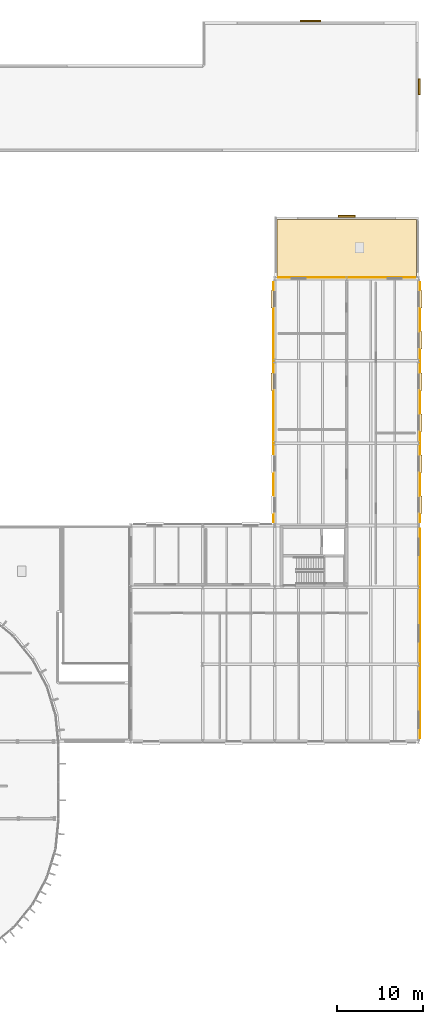
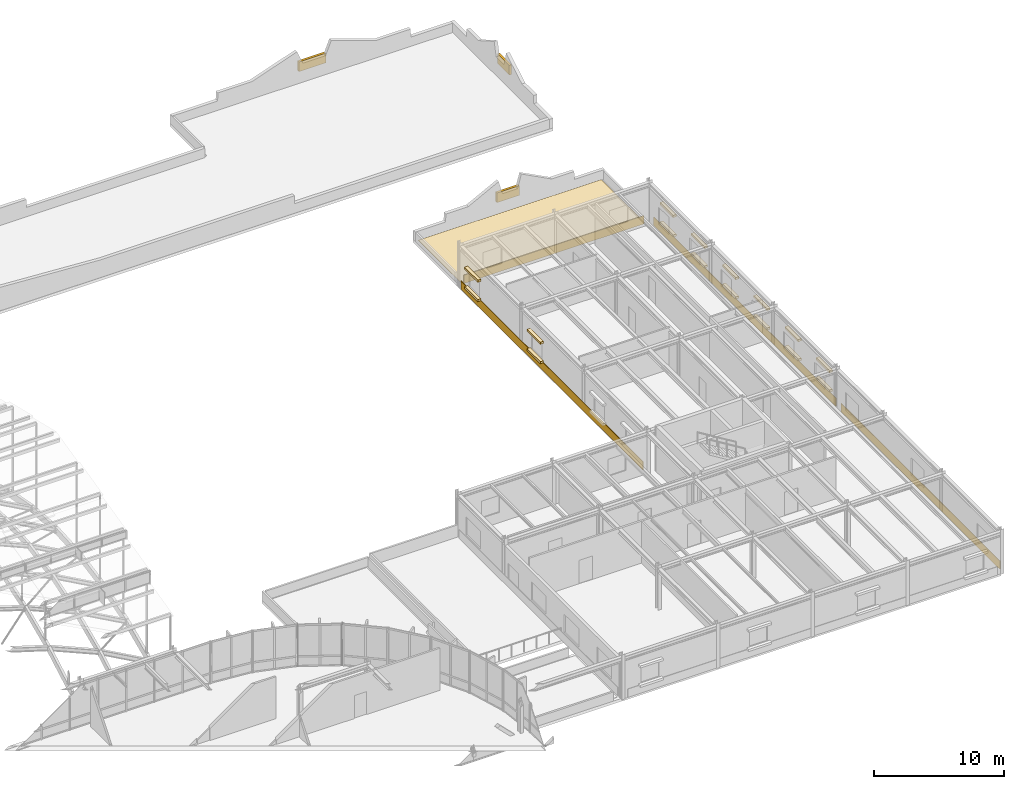
# One storey, part 69 of 69: 24 coverings.
"""IFC4 building model written with IfcOpenShell, lengths in metres."""

from ifc_helpers import new_model, si_unit, direction, frame, origin, origin_2d, place, context, subcontext, project, spatial, polyline, rectangle, outline, extrude, material, layer, layer_set, type_object, element, save


model = new_model("IFC4")

# Units and contexts
model_context = context("Model", 3, precision=1e-05, world=origin(), true_north=direction((0.0, 1.0)))
body_context = subcontext(model_context, "Body", "Model", "MODEL_VIEW")
ifc_project = project(units=[si_unit("LENGTHUNIT", "METRE"), si_unit("AREAUNIT", "SQUARE_METRE"), si_unit("VOLUMEUNIT", "CUBIC_METRE"), si_unit("PLANEANGLEUNIT", "RADIAN"), si_unit("MASSUNIT", "GRAM", prefix="KILO")], contexts=[model_context])

# Site, building, storey
site_placement = place(None, origin())
site = spatial("IfcSite", under=ifc_project, at=site_placement, CompositionType="ELEMENT")
building_placement = place(site_placement, origin())
building = spatial("IfcBuilding", under=site, at=building_placement, Name="Montealbar Specialist Clinic", CompositionType="ELEMENT")
storey_placement = place(building_placement, frame((0.0, 0.0, 9.60009765625)))
storey = spatial("IfcBuildingStorey", under=building, at=storey_placement, Name="L02", CompositionType="ELEMENT", Elevation=9.60009765625)

# Coverings
ifc_material_1 = material(Name="Terracotta architectural cladding", Category="masonry")
ifc_layer_1 = layer(ifc_material_1, 0.044921875, Name="Terracotta architectural cladding", Category="masonry")
ifc_layer_set_1 = layer_set([ifc_layer_1], Name="Terracotta architectural cladding")
covering_type_1 = type_object("IfcCoveringType", Name="COV-CLAD-TERRA", PredefinedType="CLADDING", material=ifc_layer_set_1)
covering_1_placement = place(storey_placement, frame((145.049072265625, 66.60009765625, 0.02978515625), z_axis=(0.0, 0.0, 1.0), x_axis=(0.0, 1.0, 0.0)))
element("IfcCovering", 1, at=covering_1_placement, inside=storey, type_object=covering_type_1, Name="Facade Plinth Cladding Band L02-034", PredefinedType="CLADDING", context=body_context, shape_type="SweptSolid", body=[
    extrude(rectangle(XDim=28.0, YDim=0.044921875, at=origin_2d()), origin(), (0.0, 0.0, 1.0), 0.780029296875),
])
covering_2_placement = place(storey_placement, frame((153.60009765625, 81.14990234375, 0.02978515625), z_axis=(0.0, 0.0, 1.0), x_axis=(1.0, 0.0, 0.0)))
element("IfcCovering", 2, at=covering_2_placement, inside=storey, type_object=covering_type_1, Name="Facade Plinth Cladding Band L02-035", PredefinedType="CLADDING", context=body_context, shape_type="SweptSolid", body=[
    extrude(rectangle(XDim=16.0, YDim=0.044921875, at=origin_2d()), origin(), (0.0, 0.0, 1.0), 0.780029296875),
])
covering_3_placement = place(storey_placement, frame((162.14990234375, 66.60009765625, 0.02978515625), z_axis=(0.0, 0.0, 1.0), x_axis=(0.0, -1.0, 0.0)))
element("IfcCovering", 3, at=covering_3_placement, inside=storey, type_object=covering_type_1, Name="Facade Plinth Cladding Band L02-036", PredefinedType="CLADDING", context=body_context, shape_type="SweptSolid", body=[
    extrude(rectangle(XDim=28.0, YDim=0.044921875, at=origin_2d()), origin(), (0.0, 0.0, 1.0), 0.780029296875),
])
covering_4_placement = place(storey_placement, frame((162.14990234375, 39.60009765625, 0.02978515625), z_axis=(0.0, 0.0, 1.0), x_axis=(0.0, -1.0, 0.0)))
element("IfcCovering", 4, at=covering_4_placement, inside=storey, type_object=covering_type_1, Name="Facade Plinth Cladding Band L02-037", PredefinedType="CLADDING", context=body_context, shape_type="SweptSolid", body=[
    extrude(rectangle(XDim=24.39990234375, YDim=0.044921875, at=origin_2d()), origin(), (0.0, 0.0, 1.0), 0.780029296875),
])
ifc_material_2 = material(Name="Guadarrama granite ashlar", Category="masonry")
ifc_layer_2 = layer(ifc_material_2, 0.280029296875, Name="Guadarrama granite ashlar", Category="masonry")
ifc_layer_set_2 = layer_set([ifc_layer_2], Name="Guadarrama granite ashlar")
covering_type_2 = type_object("IfcCoveringType", Name="COV-HOOD-OCULUS", PredefinedType="CLADDING", material=ifc_layer_set_2)
for number, where, z_axis, x_axis, name in (
    (5, (144.93505859375, 69.0, 2.57470703125), (0.0, 0.0, 1.0), (0.0, 1.0, 0.0), "Postmodern Oculus Stone Frame L02-051-TOP"),
    (6, (144.93505859375, 69.0, 0.7548828125), (0.0, 0.0, 1.0), (0.0, 1.0, 0.0), "Postmodern Oculus Stone Frame L02-051-BOT"),
    (7, (144.93505859375, 78.60009765625, 2.57470703125), (0.0, 0.0, 1.0), (0.0, 1.0, 0.0), "Postmodern Oculus Stone Frame L02-052-TOP"),
    (8, (144.93505859375, 78.60009765625, 0.7548828125), (0.0, 0.0, 1.0), (0.0, 1.0, 0.0), "Postmodern Oculus Stone Frame L02-052-BOT"),
    (9, (162.264892578125, 78.60009765625, 2.57470703125), (0.0, 0.0, 1.0), (0.0, -1.0, 0.0), "Postmodern Oculus Stone Frame L02-053-TOP"),
    (10, (162.264892578125, 78.60009765625, 0.7548828125), (0.0, 0.0, 1.0), (0.0, -1.0, 0.0), "Postmodern Oculus Stone Frame L02-053-BOT"),
    (11, (162.264892578125, 73.800048828125, 2.57470703125), (0.0, 0.0, 1.0), (0.0, -1.0, 0.0), "Postmodern Oculus Stone Frame L02-054-TOP"),
    (12, (162.264892578125, 73.800048828125, 0.7548828125), (0.0, 0.0, 1.0), (0.0, -1.0, 0.0), "Postmodern Oculus Stone Frame L02-054-BOT"),
    (13, (162.264892578125, 69.0, 2.57470703125), (0.0, 0.0, 1.0), (0.0, -1.0, 0.0), "Postmodern Oculus Stone Frame L02-055-TOP"),
    (14, (162.264892578125, 69.0, 0.7548828125), (0.0, 0.0, 1.0), (0.0, -1.0, 0.0), "Postmodern Oculus Stone Frame L02-055-BOT"),
    (15, (162.264892578125, 64.199951171875, 2.57470703125), (0.0, 0.0, 1.0), (0.0, -1.0, 0.0), "Postmodern Oculus Stone Frame L02-056-TOP"),
    (16, (162.264892578125, 64.199951171875, 0.7548828125), (0.0, 0.0, 1.0), (0.0, -1.0, 0.0), "Postmodern Oculus Stone Frame L02-056-BOT"),
    (17, (162.264892578125, 59.39990234375, 2.57470703125), (0.0, 0.0, 1.0), (0.0, -1.0, 0.0), "Postmodern Oculus Stone Frame L02-057-TOP"),
    (18, (162.264892578125, 59.39990234375, 0.7548828125), (0.0, 0.0, 1.0), (0.0, -1.0, 0.0), "Postmodern Oculus Stone Frame L02-057-BOT"),
    (19, (162.264892578125, 54.60009765625, 2.57470703125), (0.0, 0.0, 1.0), (0.0, -1.0, 0.0), "Postmodern Oculus Stone Frame L02-058-TOP"),
    (20, (162.264892578125, 54.60009765625, 0.7548828125), (0.0, 0.0, 1.0), (0.0, -1.0, 0.0), "Postmodern Oculus Stone Frame L02-058-BOT"),
):
    element("IfcCovering", number, at=place(storey_placement, frame(where, z_axis=z_axis, x_axis=x_axis)), inside=storey, type_object=covering_type_2, Name=name, PredefinedType="CLADDING", context=body_context, shape_type="SweptSolid", body=[
        extrude(rectangle(XDim=2.0400390625, YDim=0.280029296875, at=origin_2d()), origin(), (0.0, 0.0, 1.0), 0.199951171875),
    ])
covering_5_placement = place(storey_placement, frame((149.39990234375, 111.070068359375, 0.89990234375), z_axis=(0.0, 0.0, 1.0), x_axis=(1.0, 0.0, 0.0)))
element("IfcCovering", 21, at=covering_5_placement, inside=storey, type_object=covering_type_2, Name="Postmodern Pediment Granite Keystone L02-02", PredefinedType="CLADDING", context=body_context, shape_type="SweptSolid", body=[
    extrude(rectangle(XDim=2.39990234375, YDim=0.219970703125, at=origin_2d()), origin(), (0.0, 0.0, 1.0), 0.89990234375),
])
covering_6_placement = place(storey_placement, frame((162.070068359375, 103.39990234375, 0.89990234375), z_axis=(0.0, 0.0, 1.0), x_axis=(0.0, -1.0, 0.0)))
element("IfcCovering", 22, at=covering_6_placement, inside=storey, type_object=covering_type_2, Name="Postmodern Pediment Granite Keystone L02-03", PredefinedType="CLADDING", context=body_context, shape_type="SweptSolid", body=[
    extrude(rectangle(XDim=1.823974609375, YDim=0.219970703125, at=origin_2d()), origin(), (0.0, 0.0, 1.0), 0.89990234375),
])
covering_7_placement = place(storey_placement, frame((153.60009765625, 88.27001953125, 0.89990234375), z_axis=(0.0, 0.0, 1.0), x_axis=(1.0, 0.0, 0.0)))
element("IfcCovering", 23, at=covering_7_placement, inside=storey, type_object=covering_type_2, Name="Postmodern Pediment Granite Keystone L02-07", PredefinedType="CLADDING", context=body_context, shape_type="SweptSolid", body=[
    extrude(rectangle(XDim=2.01611328125, YDim=0.219970703125, at=origin_2d()), origin(), (0.0, 0.0, 1.0), 0.89990234375),
])
ifc_material_3 = material(Name="Weatherproof roofing membrane", Category="concrete")
ifc_layer_3 = layer(ifc_material_3, 0.030029296875, Name="Weatherproof roofing membrane", Category="concrete")
ifc_layer_set_3 = layer_set([ifc_layer_3], Name="Weatherproof roofing membrane")
covering_type_3 = type_object("IfcCoveringType", Name="COV-ROOF-MEMB", PredefinedType="ROOFING", material=ifc_layer_set_3)
covering_8_placement = place(storey_placement, origin())
element("IfcCovering", 24, at=covering_8_placement, inside=storey, type_object=covering_type_3, Name="Weatherproof Roof Membrane ROOF-L02-02", PredefinedType="ROOFING", context=body_context, shape_type="SweptSolid", body=[
    extrude(outline(polyline([(161.719970703125, 81.280029296875), (145.47998046875, 81.280029296875), (145.47998046875, 87.919921875), (161.719970703125, 87.919921875), (161.719970703125, 81.280029296875)])), origin(), (0.0, 0.0, 1.0), 0.02978515625),
])

save(model, "model.ifc")
